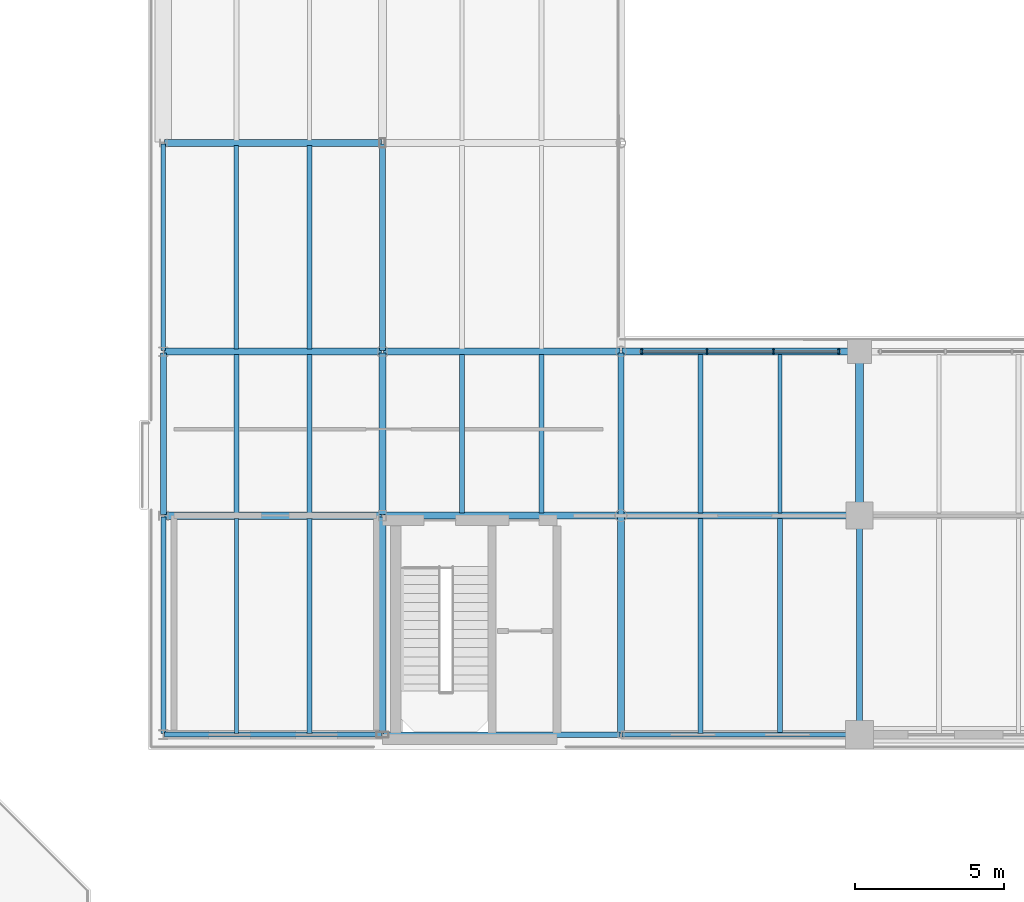
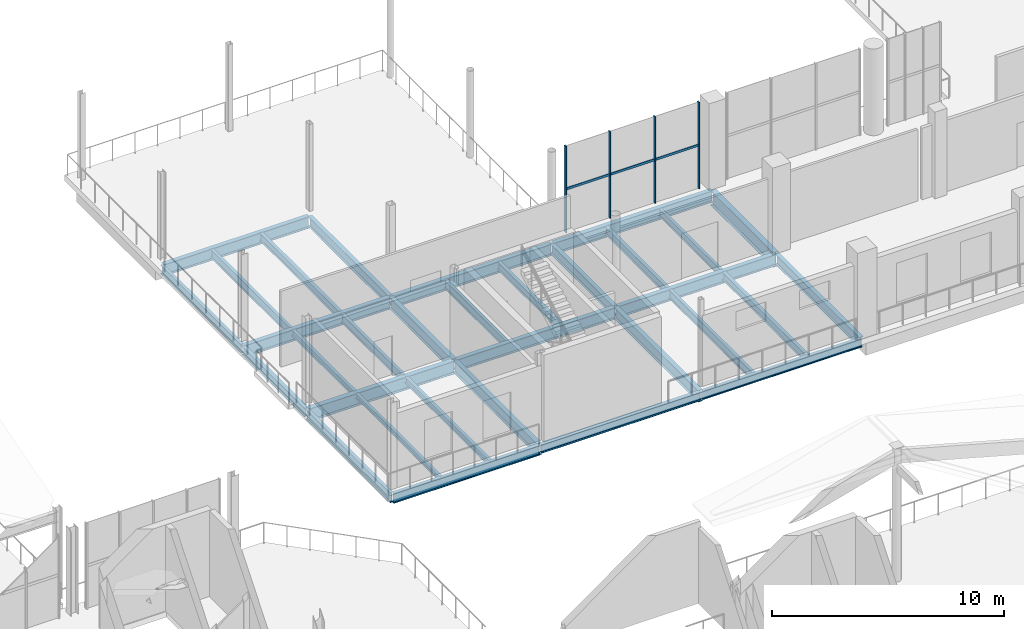
# One storey, part 36 of 70: 32 beams, 7 members, 1 element without a shape of its own.
"""IFC4 building model written with IfcOpenShell, lengths in metres."""

import ifcopenshell
import ifcopenshell.guid

model = None  # the IFC model being written
_history = None  # IfcOwnerHistory: only IFC2X3 demands one
_inside = {}  # id of a spatial element -> (the spatial element, [elements in it])
_under = {}  # id of a project, library or spatial element -> (it, [spatial elements below it])
_declared = {}  # id of a project -> (the project, [libraries it declares])
_typed = {}  # id of a type object -> (the type object, [elements of that type])
_made_of = {}  # id of a material, layer set ... -> (it, [elements and type objects made of it])


def new_model(schema):
    """Start an empty IFC model of exactly this schema.

    Asked for "IFC4X3", IfcOpenShell would pick the latest addendum, in which some entities
    have other attributes; the version numbers below select the first issue.
    IFC2X3 requires an IfcOwnerHistory on every rooted entity: one is made here for all.
    """
    global model, _history
    if schema == "IFC4X3":
        model = ifcopenshell.file(schema_version=(4, 3, 0, 0))
    else:
        model = ifcopenshell.file(schema=schema)
    _inside.clear()
    _under.clear()
    _declared.clear()
    _typed.clear()
    _made_of.clear()
    _history = None
    if model.schema == "IFC2X3":
        org = make("IfcOrganization", Name="unknown")
        user = make(
            "IfcPersonAndOrganization",
            ThePerson=make("IfcPerson", FamilyName="unknown"),
            TheOrganization=org,
        )
        app = make(
            "IfcApplication",
            ApplicationDeveloper=org,
            Version="unknown",
            ApplicationFullName="unknown",
            ApplicationIdentifier="unknown",
        )
        _history = make(
            "IfcOwnerHistory",
            OwningUser=user,
            OwningApplication=app,
            ChangeAction="ADDED",
            CreationDate=0,
        )
    return model


def make(cls, **values):
    """One entity of the class cls with the attributes given. An attribute that is None is left unset."""
    return model.create_entity(
        cls, **{name: value for name, value in values.items() if value is not None}
    )


def rooted(cls, **values):
    """An entity with a GlobalId (a new one), such as an element, a storey or a relation."""
    return make(cls, GlobalId=ifcopenshell.guid.new(), OwnerHistory=_history, **values)


def si_unit(unit_type, name, prefix=None):
    """IfcSIUnit, for example si_unit("LENGTHUNIT", "METRE", prefix="MILLI")."""
    return make("IfcSIUnit", UnitType=unit_type, Prefix=prefix, Name=name)


def assignment(units):
    """IfcUnitAssignment: the units of a project."""
    return None if units is None else make("IfcUnitAssignment", Units=units)


def point(xyz):
    """IfcCartesianPoint."""
    return None if xyz is None else make("IfcCartesianPoint", Coordinates=xyz)


def direction(xyz):
    """IfcDirection."""
    return None if xyz is None else make("IfcDirection", DirectionRatios=xyz)


def frame(location, z_axis=None, x_axis=None):
    """IfcAxis2Placement3D, a coordinate frame: its origin and axes. An axis left out is left unset."""
    return make(
        "IfcAxis2Placement3D",
        Location=point(location),
        Axis=direction(z_axis),
        RefDirection=direction(x_axis),
    )


def frame_2d(location, x_axis=None):
    """IfcAxis2Placement2D, a coordinate frame in the plane: its origin and x axis."""
    return make(
        "IfcAxis2Placement2D", Location=point(location), RefDirection=direction(x_axis)
    )


def origin():
    """The frame at (0, 0, 0) with its axes left unset."""
    return frame((0.0, 0.0, 0.0))


def origin_2d():
    """The frame at (0, 0) in the plane with its x axis left unset."""
    return frame_2d((0.0, 0.0))


def place(relative_to, where):
    """IfcLocalPlacement: puts the frame where relative to a parent placement (None: the world)."""
    return make(
        "IfcLocalPlacement", PlacementRelTo=relative_to, RelativePlacement=where
    )


def context(
    kind, dimensions, precision=None, world=None, true_north=None, identifier=None
):
    """IfcGeometricRepresentationContext, for example the 3D "Model" context."""
    return make(
        "IfcGeometricRepresentationContext",
        ContextIdentifier=identifier,
        ContextType=kind,
        CoordinateSpaceDimension=dimensions,
        Precision=precision,
        WorldCoordinateSystem=world,
        TrueNorth=true_north,
    )


def subcontext(parent, identifier, kind, view, scale=None):
    """IfcGeometricRepresentationSubContext, for example "Body" below "Model"."""
    return make(
        "IfcGeometricRepresentationSubContext",
        ContextIdentifier=identifier,
        ContextType=kind,
        ParentContext=parent,
        TargetScale=scale,
        TargetView=view,
    )


def project(units=None, contexts=None):
    """IfcProject with its units and contexts."""
    return rooted(
        "IfcProject",
        Name="project",
        RepresentationContexts=contexts,
        UnitsInContext=assignment(units),
    )


def spatial(cls, under=None, at=None, **own):
    """A site, building, storey or space (cls), placed at a placement, below another one or the project."""
    s = rooted(cls, ObjectPlacement=at, **own)
    if under is not None:
        _under.setdefault(under.id(), (under, []))[1].append(s)
    return s


def profile(cls, at=None, kind="AREA", **sizes):
    """A parametric profile (cls). Its sizes go by their IFC names, for example OverallWidth=200.0."""
    return make(cls, ProfileType=kind, Position=at, **sizes)


def rectangle(**sizes):
    """IfcRectangleProfileDef."""
    return profile("IfcRectangleProfileDef", **sizes)


def i_section(**sizes):
    """IfcIShapeProfileDef."""
    return profile("IfcIShapeProfileDef", **sizes)


def extrude(swept, where, along, depth):
    """IfcExtrudedAreaSolid: the profile swept, set in the frame where, extruded along a direction by depth."""
    return make(
        "IfcExtrudedAreaSolid",
        SweptArea=swept,
        Position=where,
        ExtrudedDirection=direction(along),
        Depth=depth,
    )


def shape(context_of_items, identifier, shape_type, items):
    """IfcShapeRepresentation: the items that make up one representation, for example the "Body"."""
    return make(
        "IfcShapeRepresentation",
        ContextOfItems=context_of_items,
        RepresentationIdentifier=identifier,
        RepresentationType=shape_type,
        Items=items,
    )


def material(Name=None, Category=None):
    """IfcMaterial."""
    return make("IfcMaterial", Name=Name, Category=Category)


def material_profile(
    of_material, cross_section, Name=None, Category=None, Priority=None
):
    """IfcMaterialProfile: a cross section and its material."""
    return make(
        "IfcMaterialProfile",
        Name=Name,
        Material=of_material,
        Profile=cross_section,
        Priority=Priority,
        Category=Category,
    )


def profile_set(profiles, Name=None, composite=None):
    """IfcMaterialProfileSet."""
    return make(
        "IfcMaterialProfileSet",
        Name=Name,
        MaterialProfiles=profiles,
        CompositeProfile=composite,
    )


def made_of(thing, what):
    """Note that an element or type object is made of a material, layer set ...; save() writes the relation."""
    if what is not None:
        _made_of.setdefault(what.id(), (what, []))[1].append(thing)
    return thing


def type_object(cls, material=None, **own):
    """A type object (cls), such as IfcWallType, which elements share."""
    return made_of(rooted(cls, **own), material)


def element(
    cls,
    number,
    at=None,
    inside=None,
    cuts=None,
    type_object=None,
    material=None,
    context=None,
    identifier="Body",
    shape_type=None,
    held_by="IfcProductDefinitionShape",
    body=None,
    shapes=None,
    **own,
):
    """One element of the class cls, such as IfcWall. Its Tag is "e" and its number.

    at: its placement. inside: the storey or other place that contains it. cuts: it is an
    opening in that element (IfcRelVoidsElement). A single representation is given by context,
    identifier, shape_type and body (its items); several are given by shapes. held_by: the class
    of the entity that holds the representations. save() writes the other relations.
    """
    e = rooted(cls, Tag="e%d" % number, ObjectPlacement=at, **own)
    if body is not None:
        shapes = [shape(context, identifier, shape_type, body)]
    if shapes is not None:
        e.Representation = make(held_by, Representations=shapes)
    if inside is not None:
        _inside.setdefault(inside.id(), (inside, []))[1].append(e)
    if cuts is not None:
        rooted(
            "IfcRelVoidsElement", RelatingBuildingElement=cuts, RelatedOpeningElement=e
        )
    if type_object is not None:
        _typed.setdefault(type_object.id(), (type_object, []))[1].append(e)
    return made_of(e, material)


def aggregate(whole, parts):
    """IfcRelAggregates: a whole, such as a stair, and the parts it consists of."""
    return rooted("IfcRelAggregates", RelatingObject=whole, RelatedObjects=parts)


def save(model, path):
    """Write the relations noted so far, then the file.

    IfcRelAggregates (storeys below a building ...), IfcRelContainedInSpatialStructure (elements
    in a storey), IfcRelDefinesByType, IfcRelAssociatesMaterial and IfcRelDeclares: one each for
    every whole, place, type object, material and project.
    """
    for whole, parts in _under.values():
        aggregate(whole, parts)
    for where, things in _inside.values():
        rooted(
            "IfcRelContainedInSpatialStructure",
            RelatedElements=things,
            RelatingStructure=where,
        )
    for kind, things in _typed.values():
        rooted("IfcRelDefinesByType", RelatedObjects=things, RelatingType=kind)
    for what, things in _made_of.values():
        rooted("IfcRelAssociatesMaterial", RelatedObjects=things, RelatingMaterial=what)
    for by, libraries in _declared.values():
        rooted("IfcRelDeclares", RelatingContext=by, RelatedDefinitions=libraries)
    model.write(path)


model = new_model("IFC4")

# Units and contexts
model_context = context("Model", 3, precision=1e-05, world=origin(), true_north=direction((0.0, 1.0)))
body_context = subcontext(model_context, "Body", "Model", "MODEL_VIEW")
ifc_project = project(units=[si_unit("LENGTHUNIT", "METRE"), si_unit("AREAUNIT", "SQUARE_METRE"), si_unit("VOLUMEUNIT", "CUBIC_METRE"), si_unit("PLANEANGLEUNIT", "RADIAN"), si_unit("MASSUNIT", "GRAM", prefix="KILO")], contexts=[model_context])

# Site, building, storey
site_placement = place(None, origin())
site = spatial("IfcSite", under=ifc_project, at=site_placement, CompositionType="ELEMENT")
building_placement = place(site_placement, origin())
building = spatial("IfcBuilding", under=site, at=building_placement, Name="Brisemont Oceanarium", CompositionType="ELEMENT")
storey_placement = place(building_placement, frame((0.0, 0.0, 10.199951171875)))
storey = spatial("IfcBuildingStorey", under=building, at=storey_placement, Name="L02", CompositionType="ELEMENT", Elevation=10.199951171875)

# Beams
ifc_material_1 = material(Name="Structural Steel ASTM A992 Gr.50", Category="steel")
ifc_material_profile_1 = material_profile(ifc_material_1, i_section(OverallWidth=0.14599609375, OverallDepth=0.259033203125, WebThickness=0.006103515625, FlangeThickness=0.009033203125, FilletRadius=0.008056640625, at=origin_2d()), Name="W10X22")
ifc_profile_set_1 = profile_set([ifc_material_profile_1], Name="Structural Steel ASTM A992 Gr.50")
beam_type_1 = type_object("IfcBeamType", Name="BM-W10X22", PredefinedType="LINTEL", material=ifc_profile_set_1)
beam_1_placement = place(storey_placement, frame((115.10009765625, 80.68994140625, -0.429443359375), z_axis=(0.0, 1.0, 0.0), x_axis=(-1.0, 0.0, 0.0)))
element("IfcBeam", 1, at=beam_1_placement, inside=storey, type_object=beam_type_1, Name="V6 L02 secondary floor beam", PredefinedType="LINTEL", context=body_context, shape_type="SweptSolid", body=[
    extrude(i_section(OverallWidth=0.14599609375, OverallDepth=0.259033203125, WebThickness=0.006103515625, FlangeThickness=0.009033203125, FilletRadius=0.008056640625, at=origin_2d()), origin(), (0.0, 0.0, 1.0), 7.219970703125),
])
ifc_material_2 = material(Name="Structural Steel ASTM A992 Gr.50", Category="steel")
ifc_material_profile_2 = material_profile(ifc_material_2, i_section(OverallWidth=0.1650390625, OverallDepth=0.31005859375, WebThickness=0.005859375, FlangeThickness=0.009765625, FilletRadius=0.008056640625, at=origin_2d()), Name="W12X26")
ifc_profile_set_2 = profile_set([ifc_material_profile_2], Name="Structural Steel ASTM A992 Gr.50")
beam_type_2 = type_object("IfcBeamType", Name="BM-W12X26", PredefinedType="JOIST", material=ifc_profile_set_2)
beam_2_placement = place(storey_placement, frame((117.550048828125, 80.68994140625, -0.454833984375), z_axis=(0.0, 1.0, 0.0), x_axis=(-1.0, 0.0, 0.0)))
element("IfcBeam", 2, at=beam_2_placement, inside=storey, type_object=beam_type_2, Name="V6 L02 secondary floor beam", PredefinedType="JOIST", context=body_context, shape_type="SweptSolid", body=[
    extrude(i_section(OverallWidth=0.1650390625, OverallDepth=0.31005859375, WebThickness=0.005859375, FlangeThickness=0.009765625, FilletRadius=0.008056640625, at=origin_2d()), origin(), (0.0, 0.0, 1.0), 7.219970703125),
])
beam_3_placement = place(storey_placement, frame((115.10009765625, 88.090087890625, -0.454833984375), z_axis=(0.0, 1.0, 0.0), x_axis=(-1.0, 0.0, 0.0)))
element("IfcBeam", 3, at=beam_3_placement, inside=storey, type_object=beam_type_2, Name="V6 L02 secondary floor beam", PredefinedType="JOIST", context=body_context, shape_type="SweptSolid", body=[
    extrude(i_section(OverallWidth=0.1650390625, OverallDepth=0.31005859375, WebThickness=0.005859375, FlangeThickness=0.009765625, FilletRadius=0.008056640625, at=origin_2d()), origin(), (0.0, 0.0, 1.0), 5.31982421875),
])
ifc_material_3 = material(Name="Structural Steel ASTM A992 Gr.50", Category="steel")
ifc_material_profile_3 = material_profile(ifc_material_3, i_section(OverallWidth=0.139892578125, OverallDepth=0.39892578125, WebThickness=0.00634765625, FlangeThickness=0.0087890625, FilletRadius=0.010009765625, at=origin_2d()), Name="W16X26")
ifc_profile_set_3 = profile_set([ifc_material_profile_3], Name="Structural Steel ASTM A992 Gr.50")
beam_type_3 = type_object("IfcBeamType", Name="BM-W16X26", PredefinedType="JOIST", material=ifc_profile_set_3)
beam_4_placement = place(storey_placement, frame((133.333251953125, 88.090087890625, -0.49951171875), z_axis=(0.0, 1.0, 0.0), x_axis=(-1.0, 0.0, 0.0)))
element("IfcBeam", 4, at=beam_4_placement, inside=storey, type_object=beam_type_3, Name="V6 L02 secondary floor beam", PredefinedType="JOIST", context=body_context, shape_type="SweptSolid", body=[
    extrude(i_section(OverallWidth=0.139892578125, OverallDepth=0.39892578125, WebThickness=0.00634765625, FlangeThickness=0.0087890625, FilletRadius=0.010009765625, at=origin_2d()), origin(), (0.0, 0.0, 1.0), 5.31982421875),
])
ifc_material_4 = material(Name="Structural Steel ASTM A992 Gr.50", Category="steel")
ifc_material_profile_4 = material_profile(ifc_material_4, i_section(OverallWidth=0.177978515625, OverallDepth=0.404052734375, WebThickness=0.007568359375, FlangeThickness=0.010986328125, FilletRadius=0.010009765625, at=origin_2d()), Name="W16X36")
ifc_profile_set_4 = profile_set([ifc_material_profile_4], Name="Structural Steel ASTM A992 Gr.50")
beam_type_4 = type_object("IfcBeamType", Name="BM-W16X36", PredefinedType="JOIST", material=ifc_profile_set_4)
beam_5_placement = place(storey_placement, frame((117.550048828125, 93.590087890625, -0.501953125), z_axis=(0.0, 1.0, 0.0), x_axis=(-1.0, 0.0, 0.0)))
element("IfcBeam", 5, at=beam_5_placement, inside=storey, type_object=beam_type_4, Name="V6 L02 secondary floor beam", PredefinedType="JOIST", context=body_context, shape_type="SweptSolid", body=[
    extrude(i_section(OverallWidth=0.177978515625, OverallDepth=0.404052734375, WebThickness=0.007568359375, FlangeThickness=0.010986328125, FilletRadius=0.010009765625, at=origin_2d()), origin(), (0.0, 0.0, 1.0), 6.81982421875),
])
beam_6_placement = place(storey_placement, frame((125.333251953125, 88.090087890625, -0.501953125), z_axis=(0.0, 1.0, 0.0), x_axis=(-1.0, 0.0, 0.0)))
element("IfcBeam", 6, at=beam_6_placement, inside=storey, type_object=beam_type_4, Name="V6 L02 secondary floor beam", PredefinedType="JOIST", context=body_context, shape_type="SweptSolid", body=[
    extrude(i_section(OverallWidth=0.177978515625, OverallDepth=0.404052734375, WebThickness=0.007568359375, FlangeThickness=0.010986328125, FilletRadius=0.010009765625, at=origin_2d()), origin(), (0.0, 0.0, 1.0), 5.31982421875),
])
beam_7_placement = place(storey_placement, frame((133.333251953125, 80.68994140625, -0.501953125), z_axis=(0.0, 1.0, 0.0), x_axis=(-1.0, 0.0, 0.0)))
element("IfcBeam", 7, at=beam_7_placement, inside=storey, type_object=beam_type_4, Name="V6 L02 secondary floor beam", PredefinedType="JOIST", context=body_context, shape_type="SweptSolid", body=[
    extrude(i_section(OverallWidth=0.177978515625, OverallDepth=0.404052734375, WebThickness=0.007568359375, FlangeThickness=0.010986328125, FilletRadius=0.010009765625, at=origin_2d()), origin(), (0.0, 0.0, 1.0), 7.219970703125),
])
beam_8_placement = place(storey_placement, frame((130.666748046875, 88.090087890625, -0.501953125), z_axis=(0.0, 1.0, 0.0), x_axis=(-1.0, 0.0, 0.0)))
element("IfcBeam", 8, at=beam_8_placement, inside=storey, type_object=beam_type_4, Name="V6 L02 secondary floor beam", PredefinedType="JOIST", context=body_context, shape_type="SweptSolid", body=[
    extrude(i_section(OverallWidth=0.177978515625, OverallDepth=0.404052734375, WebThickness=0.007568359375, FlangeThickness=0.010986328125, FilletRadius=0.010009765625, at=origin_2d()), origin(), (0.0, 0.0, 1.0), 5.31982421875),
])
ifc_material_5 = material(Name="Structural Steel ASTM A992 Gr.50", Category="steel")
ifc_material_profile_5 = material_profile(ifc_material_5, i_section(OverallWidth=0.153076171875, OverallDepth=0.455078125, WebThickness=0.008056640625, FlangeThickness=0.01318359375, FilletRadius=0.010986328125, at=origin_2d()), Name="W18X40")
ifc_profile_set_5 = profile_set([ifc_material_profile_5], Name="Structural Steel ASTM A992 Gr.50")
beam_type_5 = type_object("IfcBeamType", Name="BM-W18X40", PredefinedType="JOIST", material=ifc_profile_set_5)
beam_9_placement = place(storey_placement, frame((117.550048828125, 88.090087890625, -0.52734375), z_axis=(0.0, 1.0, 0.0), x_axis=(-1.0, 0.0, 0.0)))
element("IfcBeam", 9, at=beam_9_placement, inside=storey, type_object=beam_type_5, Name="V6 L02 secondary floor beam", PredefinedType="JOIST", context=body_context, shape_type="SweptSolid", body=[
    extrude(i_section(OverallWidth=0.153076171875, OverallDepth=0.455078125, WebThickness=0.008056640625, FlangeThickness=0.01318359375, FilletRadius=0.010986328125, at=origin_2d()), origin(), (0.0, 0.0, 1.0), 5.31982421875),
])
beam_10_placement = place(storey_placement, frame((115.10009765625, 93.590087890625, -0.52734375), z_axis=(0.0, 1.0, 0.0), x_axis=(-1.0, 0.0, 0.0)))
element("IfcBeam", 10, at=beam_10_placement, inside=storey, type_object=beam_type_5, Name="V6 L02 secondary floor beam", PredefinedType="JOIST", context=body_context, shape_type="SweptSolid", body=[
    extrude(i_section(OverallWidth=0.153076171875, OverallDepth=0.455078125, WebThickness=0.008056640625, FlangeThickness=0.01318359375, FilletRadius=0.010986328125, at=origin_2d()), origin(), (0.0, 0.0, 1.0), 6.81982421875),
])
beam_11_placement = place(storey_placement, frame((122.666748046875, 88.090087890625, -0.52734375), z_axis=(0.0, 1.0, 0.0), x_axis=(-1.0, 0.0, 0.0)))
element("IfcBeam", 11, at=beam_11_placement, inside=storey, type_object=beam_type_5, Name="V6 L02 secondary floor beam", PredefinedType="JOIST", context=body_context, shape_type="SweptSolid", body=[
    extrude(i_section(OverallWidth=0.153076171875, OverallDepth=0.455078125, WebThickness=0.008056640625, FlangeThickness=0.01318359375, FilletRadius=0.010986328125, at=origin_2d()), origin(), (0.0, 0.0, 1.0), 5.31982421875),
])
beam_12_placement = place(storey_placement, frame((130.666748046875, 80.68994140625, -0.52734375), z_axis=(0.0, 1.0, 0.0), x_axis=(-1.0, 0.0, 0.0)))
element("IfcBeam", 12, at=beam_12_placement, inside=storey, type_object=beam_type_5, Name="V6 L02 secondary floor beam", PredefinedType="JOIST", context=body_context, shape_type="SweptSolid", body=[
    extrude(i_section(OverallWidth=0.153076171875, OverallDepth=0.455078125, WebThickness=0.008056640625, FlangeThickness=0.01318359375, FilletRadius=0.010986328125, at=origin_2d()), origin(), (0.0, 0.0, 1.0), 7.219970703125),
])
ifc_material_6 = material(Name="Structural Steel ASTM A992 Gr.50", Category="steel")
ifc_material_profile_6 = material_profile(ifc_material_6, i_section(OverallWidth=0.154052734375, OverallDepth=0.458984375, WebThickness=0.009033203125, FlangeThickness=0.015380859375, FilletRadius=0.010986328125, at=origin_2d()), Name="W18X46")
ifc_profile_set_6 = profile_set([ifc_material_profile_6], Name="Structural Steel ASTM A992 Gr.50")
beam_type_6 = type_object("IfcBeamType", Name="BM-W18X46", PredefinedType="SPANDREL", material=ifc_profile_set_6)
beam_13_placement = place(storey_placement, frame((128.0400390625, 80.64990234375, -0.529541015625), z_axis=(1.0, 0.0, 0.0), x_axis=(0.0, 1.0, 0.0)))
element("IfcBeam", 13, at=beam_13_placement, inside=storey, type_object=beam_type_6, Name="V6 L02 EW girder", PredefinedType="SPANDREL", context=body_context, shape_type="SweptSolid", body=[
    extrude(i_section(OverallWidth=0.154052734375, OverallDepth=0.458984375, WebThickness=0.009033203125, FlangeThickness=0.015380859375, FilletRadius=0.010986328125, at=origin_2d()), origin(), (0.0, 0.0, 1.0), 7.919921875),
])
beam_14_placement = place(storey_placement, frame((112.64990234375, 93.5400390625, -0.529541015625), z_axis=(0.0, 1.0, 0.0), x_axis=(-1.0, 0.0, 0.0)))
element("IfcBeam", 14, at=beam_14_placement, inside=storey, type_object=beam_type_6, Name="V6 L02 NS girder", PredefinedType="SPANDREL", context=body_context, shape_type="SweptSolid", body=[
    extrude(i_section(OverallWidth=0.154052734375, OverallDepth=0.458984375, WebThickness=0.009033203125, FlangeThickness=0.015380859375, FilletRadius=0.010986328125, at=origin_2d()), origin(), (0.0, 0.0, 1.0), 6.919921875),
])
ifc_material_7 = material(Name="Structural Steel ASTM A992 Gr.50", Category="steel")
ifc_material_profile_7 = material_profile(ifc_material_7, i_section(OverallWidth=0.19091796875, OverallDepth=0.4599609375, WebThickness=0.010009765625, FlangeThickness=0.01611328125, FilletRadius=0.010986328125, at=origin_2d()), Name="W18X55")
ifc_profile_set_7 = profile_set([ifc_material_profile_7], Name="Structural Steel ASTM A992 Gr.50")
beam_type_7 = type_object("IfcBeamType", Name="BM-W18X55", PredefinedType="SPANDREL", material=ifc_profile_set_7)
beam_15_placement = place(storey_placement, frame((120.0400390625, 80.64990234375, -0.530029296875), z_axis=(1.0, 0.0, 0.0), x_axis=(0.0, 1.0, 0.0)))
element("IfcBeam", 15, at=beam_15_placement, inside=storey, type_object=beam_type_7, Name="V6 L02 EW girder", PredefinedType="SPANDREL", context=body_context, shape_type="SweptSolid", body=[
    extrude(i_section(OverallWidth=0.19091796875, OverallDepth=0.4599609375, WebThickness=0.010009765625, FlangeThickness=0.01611328125, FilletRadius=0.010986328125, at=origin_2d()), origin(), (0.0, 0.0, 1.0), 7.919921875),
])
beam_16_placement = place(storey_placement, frame((112.64990234375, 88.0400390625, -0.530029296875), z_axis=(0.0, 1.0, 0.0), x_axis=(-1.0, 0.0, 0.0)))
element("IfcBeam", 16, at=beam_16_placement, inside=storey, type_object=beam_type_7, Name="V6 L02 NS girder", PredefinedType="SPANDREL", context=body_context, shape_type="SweptSolid", body=[
    extrude(i_section(OverallWidth=0.19091796875, OverallDepth=0.4599609375, WebThickness=0.010009765625, FlangeThickness=0.01611328125, FilletRadius=0.010986328125, at=origin_2d()), origin(), (0.0, 0.0, 1.0), 5.419921875),
])
ifc_material_8 = material(Name="Structural Steel ASTM A992 Gr.50", Category="steel")
ifc_material_profile_8 = material_profile(ifc_material_8, i_section(OverallWidth=0.166015625, OverallDepth=0.528076171875, WebThickness=0.009765625, FlangeThickness=0.013671875, FilletRadius=0.012939453125, at=origin_2d()), Name="W21X50")
ifc_profile_set_8 = profile_set([ifc_material_profile_8], Name="Structural Steel ASTM A992 Gr.50")
beam_type_8 = type_object("IfcBeamType", Name="BM-W21X50", PredefinedType="SPANDREL", material=ifc_profile_set_8)
for number, where, z_axis, x_axis, name in (
    (17, (112.68994140625, 80.64990234375, -0.56396484375), (1.0, 0.0, 0.0), (0.0, 1.0, 0.0), "V6 L02 EW girder"),
    (18, (112.64990234375, 80.68994140625, -0.56396484375), (0.0, 1.0, 0.0), (-1.0, 0.0, 0.0), "V6 L02 NS girder"),
):
    element("IfcBeam", number, at=place(storey_placement, frame(where, z_axis=z_axis, x_axis=x_axis)), inside=storey, type_object=beam_type_8, Name=name, PredefinedType="SPANDREL", context=body_context, shape_type="SweptSolid", body=[
        extrude(i_section(OverallWidth=0.166015625, OverallDepth=0.528076171875, WebThickness=0.009765625, FlangeThickness=0.013671875, FilletRadius=0.012939453125, at=origin_2d()), origin(), (0.0, 0.0, 1.0), 7.27001953125),
    ])
ifc_material_9 = material(Name="Structural Steel ASTM A992 Gr.50", Category="steel")
ifc_material_profile_9 = material_profile(ifc_material_9, i_section(OverallWidth=0.2099609375, OverallDepth=0.532958984375, WebThickness=0.01025390625, FlangeThickness=0.015625, FilletRadius=0.012939453125, at=origin_2d()), Name="W21X62")
ifc_profile_set_9 = profile_set([ifc_material_profile_9], Name="Structural Steel ASTM A992 Gr.50")
beam_type_9 = type_object("IfcBeamType", Name="BM-W21X62", PredefinedType="BEAM", material=ifc_profile_set_9)
beam_17_placement = place(storey_placement, frame((120.0, 93.5400390625, -0.56640625), z_axis=(0.0, 1.0, 0.0), x_axis=(-1.0, 0.0, 0.0)))
element("IfcBeam", 19, at=beam_17_placement, inside=storey, type_object=beam_type_9, Name="V6 L02 NS girder", PredefinedType="BEAM", context=body_context, shape_type="SweptSolid", body=[
    extrude(i_section(OverallWidth=0.2099609375, OverallDepth=0.532958984375, WebThickness=0.01025390625, FlangeThickness=0.015625, FilletRadius=0.012939453125, at=origin_2d()), origin(), (0.0, 0.0, 1.0), 6.919921875),
])
beam_18_placement = place(storey_placement, frame((128.0, 88.0400390625, -0.56640625), z_axis=(0.0, 1.0, 0.0), x_axis=(-1.0, 0.0, 0.0)))
element("IfcBeam", 20, at=beam_18_placement, inside=storey, type_object=beam_type_9, Name="V6 L02 NS girder", PredefinedType="BEAM", context=body_context, shape_type="SweptSolid", body=[
    extrude(i_section(OverallWidth=0.2099609375, OverallDepth=0.532958984375, WebThickness=0.01025390625, FlangeThickness=0.015625, FilletRadius=0.012939453125, at=origin_2d()), origin(), (0.0, 0.0, 1.0), 5.419921875),
])
beam_19_placement = place(storey_placement, frame((136.0, 80.68994140625, -0.56640625), z_axis=(0.0, 1.0, 0.0), x_axis=(-1.0, 0.0, 0.0)))
element("IfcBeam", 21, at=beam_19_placement, inside=storey, type_object=beam_type_9, Name="V6 L02 NS girder", PredefinedType="BEAM", context=body_context, shape_type="SweptSolid", body=[
    extrude(i_section(OverallWidth=0.2099609375, OverallDepth=0.532958984375, WebThickness=0.01025390625, FlangeThickness=0.015625, FilletRadius=0.012939453125, at=origin_2d()), origin(), (0.0, 0.0, 1.0), 7.27001953125),
])
ifc_material_10 = material(Name="Structural Steel ASTM A992 Gr.50", Category="steel")
ifc_material_profile_10 = material_profile(ifc_material_10, i_section(OverallWidth=0.22802734375, OverallDepth=0.60205078125, WebThickness=0.010498046875, FlangeThickness=0.014892578125, FilletRadius=0.012939453125, at=origin_2d()), Name="W24X68")
ifc_profile_set_10 = profile_set([ifc_material_profile_10], Name="Structural Steel ASTM A992 Gr.50")
beam_type_10 = type_object("IfcBeamType", Name="BM-W24X68", PredefinedType="BEAM", material=ifc_profile_set_10)
beam_20_placement = place(storey_placement, frame((128.0400390625, 93.5, -0.600830078125), z_axis=(1.0, 0.0, 0.0), x_axis=(0.0, 1.0, 0.0)))
element("IfcBeam", 22, at=beam_20_placement, inside=storey, type_object=beam_type_10, Name="V6 L02 EW girder", PredefinedType="BEAM", context=body_context, shape_type="SweptSolid", body=[
    extrude(i_section(OverallWidth=0.22802734375, OverallDepth=0.60205078125, WebThickness=0.010498046875, FlangeThickness=0.014892578125, FilletRadius=0.012939453125, at=origin_2d()), origin(), (0.0, 0.0, 1.0), 7.919921875),
])
beam_21_placement = place(storey_placement, frame((120.0, 88.0400390625, -0.600830078125), z_axis=(0.0, 1.0, 0.0), x_axis=(-1.0, 0.0, 0.0)))
element("IfcBeam", 23, at=beam_21_placement, inside=storey, type_object=beam_type_10, Name="V6 L02 NS girder", PredefinedType="BEAM", context=body_context, shape_type="SweptSolid", body=[
    extrude(i_section(OverallWidth=0.22802734375, OverallDepth=0.60205078125, WebThickness=0.010498046875, FlangeThickness=0.014892578125, FilletRadius=0.012939453125, at=origin_2d()), origin(), (0.0, 0.0, 1.0), 5.419921875),
])
beam_22_placement = place(storey_placement, frame((128.0, 80.68994140625, -0.600830078125), z_axis=(0.0, 1.0, 0.0), x_axis=(-1.0, 0.0, 0.0)))
element("IfcBeam", 24, at=beam_22_placement, inside=storey, type_object=beam_type_10, Name="V6 L02 NS girder", PredefinedType="BEAM", context=body_context, shape_type="SweptSolid", body=[
    extrude(i_section(OverallWidth=0.22802734375, OverallDepth=0.60205078125, WebThickness=0.010498046875, FlangeThickness=0.014892578125, FilletRadius=0.012939453125, at=origin_2d()), origin(), (0.0, 0.0, 1.0), 7.27001953125),
])
ifc_material_11 = material(Name="Structural Steel ASTM A992 Gr.50", Category="steel")
ifc_material_profile_11 = material_profile(ifc_material_11, i_section(OverallWidth=0.22802734375, OverallDepth=0.60791015625, WebThickness=0.01123046875, FlangeThickness=0.017333984375, FilletRadius=0.012939453125, at=origin_2d()), Name="W24X76")
ifc_profile_set_11 = profile_set([ifc_material_profile_11], Name="Structural Steel ASTM A992 Gr.50")
beam_type_11 = type_object("IfcBeamType", Name="BM-W24X76", PredefinedType="BEAM", material=ifc_profile_set_11)
for number, where, z_axis, x_axis, name in (
    (25, (128.0400390625, 88.0, -0.60400390625), (1.0, 0.0, 0.0), (0.0, 1.0, 0.0), "V6 L02 EW girder"),
    (26, (120.0400390625, 93.5, -0.60400390625), (1.0, 0.0, 0.0), (0.0, 1.0, 0.0), "V6 L02 EW girder"),
):
    element("IfcBeam", number, at=place(storey_placement, frame(where, z_axis=z_axis, x_axis=x_axis)), inside=storey, type_object=beam_type_11, Name=name, PredefinedType="BEAM", context=body_context, shape_type="SweptSolid", body=[
        extrude(i_section(OverallWidth=0.22802734375, OverallDepth=0.60791015625, WebThickness=0.01123046875, FlangeThickness=0.017333984375, FilletRadius=0.012939453125, at=origin_2d()), origin(), (0.0, 0.0, 1.0), 7.919921875),
    ])
for number, where, z_axis, x_axis, name in (
    (27, (112.68994140625, 100.5, -0.60400390625), (1.0, 0.0, 0.0), (0.0, 1.0, 0.0), "V6 L02 EW girder"),
    (28, (120.0, 80.68994140625, -0.60400390625), (0.0, 1.0, 0.0), (-1.0, 0.0, 0.0), "V6 L02 NS girder"),
):
    element("IfcBeam", number, at=place(storey_placement, frame(where, z_axis=z_axis, x_axis=x_axis)), inside=storey, type_object=beam_type_11, Name=name, PredefinedType="BEAM", context=body_context, shape_type="SweptSolid", body=[
        extrude(i_section(OverallWidth=0.22802734375, OverallDepth=0.60791015625, WebThickness=0.01123046875, FlangeThickness=0.017333984375, FilletRadius=0.012939453125, at=origin_2d()), origin(), (0.0, 0.0, 1.0), 7.27001953125),
    ])
ifc_material_12 = material(Name="Structural Steel ASTM A992 Gr.50", Category="steel")
ifc_material_profile_12 = material_profile(ifc_material_12, i_section(OverallWidth=0.22900390625, OverallDepth=0.612060546875, WebThickness=0.011962890625, FlangeThickness=0.01953125, FilletRadius=0.012939453125, at=origin_2d()), Name="W24X84")
ifc_profile_set_12 = profile_set([ifc_material_profile_12], Name="Structural Steel ASTM A992 Gr.50")
beam_type_12 = type_object("IfcBeamType", Name="BM-W24X84", PredefinedType="BEAM", material=ifc_profile_set_12)
beam_23_placement = place(storey_placement, frame((120.0400390625, 88.0, -0.60595703125), z_axis=(1.0, 0.0, 0.0), x_axis=(0.0, 1.0, 0.0)))
element("IfcBeam", 29, at=beam_23_placement, inside=storey, type_object=beam_type_12, Name="V6 L02 EW girder", PredefinedType="BEAM", context=body_context, shape_type="SweptSolid", body=[
    extrude(i_section(OverallWidth=0.22900390625, OverallDepth=0.612060546875, WebThickness=0.011962890625, FlangeThickness=0.01953125, FilletRadius=0.012939453125, at=origin_2d()), origin(), (0.0, 0.0, 1.0), 7.919921875),
])
beam_24_placement = place(storey_placement, frame((112.68994140625, 93.5, -0.60595703125), z_axis=(1.0, 0.0, 0.0), x_axis=(0.0, 1.0, 0.0)))
element("IfcBeam", 30, at=beam_24_placement, inside=storey, type_object=beam_type_12, Name="V6 L02 EW girder", PredefinedType="BEAM", context=body_context, shape_type="SweptSolid", body=[
    extrude(i_section(OverallWidth=0.22900390625, OverallDepth=0.612060546875, WebThickness=0.011962890625, FlangeThickness=0.01953125, FilletRadius=0.012939453125, at=origin_2d()), origin(), (0.0, 0.0, 1.0), 7.27001953125),
])
ifc_material_13 = material(Name="Structural Steel ASTM A992 Gr.50", Category="steel")
ifc_material_profile_13 = material_profile(ifc_material_13, i_section(OverallWidth=0.2529296875, OverallDepth=0.677978515625, WebThickness=0.01171875, FlangeThickness=0.016357421875, FilletRadius=0.014892578125, at=origin_2d()), Name="W27X84")
ifc_profile_set_13 = profile_set([ifc_material_profile_13], Name="Structural Steel ASTM A992 Gr.50")
beam_type_13 = type_object("IfcBeamType", Name="BM-W27X84", PredefinedType="BEAM", material=ifc_profile_set_13)
beam_25_placement = place(storey_placement, frame((112.68994140625, 88.0, -0.638916015625), z_axis=(1.0, 0.0, 0.0), x_axis=(0.0, 1.0, 0.0)))
element("IfcBeam", 31, at=beam_25_placement, inside=storey, type_object=beam_type_13, Name="V6 L02 EW girder", PredefinedType="BEAM", context=body_context, shape_type="SweptSolid", body=[
    extrude(i_section(OverallWidth=0.2529296875, OverallDepth=0.677978515625, WebThickness=0.01171875, FlangeThickness=0.016357421875, FilletRadius=0.014892578125, at=origin_2d()), origin(), (0.0, 0.0, 1.0), 7.27001953125),
])
ifc_material_14 = material(Name="Structural Steel ASTM A992 Gr.50", Category="steel")
ifc_material_profile_14 = material_profile(ifc_material_14, i_section(OverallWidth=0.26708984375, OverallDepth=0.761962890625, WebThickness=0.014404296875, FlangeThickness=0.021484375, FilletRadius=0.01611328125, at=origin_2d()), Name="W30X116")
ifc_profile_set_14 = profile_set([ifc_material_profile_14], Name="Structural Steel ASTM A992 Gr.50")
beam_type_14 = type_object("IfcBeamType", Name="BM-W30X116", PredefinedType="BEAM", material=ifc_profile_set_14)
beam_26_placement = place(storey_placement, frame((136.0, 88.0400390625, -0.680908203125), z_axis=(0.0, 1.0, 0.0), x_axis=(-1.0, 0.0, 0.0)))
element("IfcBeam", 32, at=beam_26_placement, inside=storey, type_object=beam_type_14, Name="V6 L02 NS girder", PredefinedType="BEAM", context=body_context, shape_type="SweptSolid", body=[
    extrude(i_section(OverallWidth=0.26708984375, OverallDepth=0.761962890625, WebThickness=0.014404296875, FlangeThickness=0.021484375, FilletRadius=0.01611328125, at=origin_2d()), origin(), (0.0, 0.0, 1.0), 5.419921875),
])

# Curtain wall, members
ifc_material_15 = material(Name="Anodized Extruded Aluminum 6063-T6", Category="aluminium")
curtain_wall_type = type_object("IfcCurtainWallType", Name="CW-RES-52X41", PredefinedType="NOTDEFINED", material=ifc_material_15)
curtain_wall_placement = place(storey_placement, origin())
curtain_wall = element("IfcCurtainWall", 33, at=curtain_wall_placement, inside=storey, type_object=curtain_wall_type, Name="CW-18 curtain wall CW-V6-CL-L02-01", PredefinedType="NOTDEFINED")
ifc_material_16 = material(Name="Anodized Extruded Aluminum 6063-T6", Category="aluminium")
ifc_material_profile_15 = material_profile(ifc_material_16, rectangle(XDim=0.06005859375, YDim=0.14990234375, at=origin_2d()), Name="CWM-60X150")
ifc_profile_set_15 = profile_set([ifc_material_profile_15], Name="Anodized Extruded Aluminum 6063-T6")
member_type_1 = type_object("IfcMemberType", Name="MEM-CWM-60", PredefinedType="MULLION", material=ifc_profile_set_15)
member_1_placement = place(storey_placement, frame((128.695068359375, 93.5, 0.0), z_axis=(0.0, 0.0, 1.0), x_axis=(1.0, 0.0, 0.0)))
member_1 = element("IfcMember", 34, at=member_1_placement, type_object=member_type_1, Name="CW-V6-CL-L02-01 mullion 1", PredefinedType="MULLION", context=body_context, shape_type="SweptSolid", body=[
    extrude(rectangle(XDim=0.06005859375, YDim=0.14990234375, at=origin_2d()), origin(), (0.0, 0.0, 1.0), 4.5400390625),
])
member_2_placement = place(storey_placement, frame((130.88330078125, 93.5, 0.0), z_axis=(0.0, 0.0, 1.0), x_axis=(1.0, 0.0, 0.0)))
member_2 = element("IfcMember", 35, at=member_2_placement, type_object=member_type_1, Name="CW-V6-CL-L02-01 mullion 2", PredefinedType="MULLION", context=body_context, shape_type="SweptSolid", body=[
    extrude(rectangle(XDim=0.06005859375, YDim=0.14990234375, at=origin_2d()), origin(), (0.0, 0.0, 1.0), 4.5400390625),
])
member_3_placement = place(storey_placement, frame((133.11669921875, 93.5, 0.0), z_axis=(0.0, 0.0, 1.0), x_axis=(1.0, 0.0, 0.0)))
member_3 = element("IfcMember", 36, at=member_3_placement, type_object=member_type_1, Name="CW-V6-CL-L02-01 mullion 3", PredefinedType="MULLION", context=body_context, shape_type="SweptSolid", body=[
    extrude(rectangle(XDim=0.06005859375, YDim=0.14990234375, at=origin_2d()), origin(), (0.0, 0.0, 1.0), 4.5400390625),
])
member_4_placement = place(storey_placement, frame((135.304931640625, 93.5, 0.0), z_axis=(0.0, 0.0, 1.0), x_axis=(1.0, 0.0, 0.0)))
member_4 = element("IfcMember", 37, at=member_4_placement, type_object=member_type_1, Name="CW-V6-CL-L02-01 mullion 4", PredefinedType="MULLION", context=body_context, shape_type="SweptSolid", body=[
    extrude(rectangle(XDim=0.06005859375, YDim=0.14990234375, at=origin_2d()), origin(), (0.0, 0.0, 1.0), 4.5400390625),
])
ifc_material_17 = material(Name="Anodized Extruded Aluminum 6063-T6", Category="aluminium")
ifc_material_profile_16 = material_profile(ifc_material_17, rectangle(XDim=0.06005859375, YDim=0.1201171875, at=origin_2d()), Name="CWT-60X120")
ifc_profile_set_16 = profile_set([ifc_material_profile_16], Name="Anodized Extruded Aluminum 6063-T6")
member_type_2 = type_object("IfcMemberType", Name="MEM-CWT-60", PredefinedType="USERDEFINED", material=ifc_profile_set_16)
member_5_placement = place(storey_placement, frame((128.6650390625, 93.5, 2.27001953125), z_axis=(1.0, 0.0, 0.0), x_axis=(0.0, 1.0, 0.0)))
member_5 = element("IfcMember", 38, at=member_5_placement, type_object=member_type_2, Name="CW-V6-CL-L02-01 transom 1.1", ObjectType="TRANSOM", PredefinedType="USERDEFINED", context=body_context, shape_type="SweptSolid", body=[
    extrude(rectangle(XDim=0.06005859375, YDim=0.1201171875, at=origin_2d()), origin(), (0.0, 0.0, 1.0), 2.203369140625),
])
member_6_placement = place(storey_placement, frame((130.898193359375, 93.5, 2.27001953125), z_axis=(1.0, 0.0, 0.0), x_axis=(0.0, 1.0, 0.0)))
member_6 = element("IfcMember", 39, at=member_6_placement, type_object=member_type_2, Name="CW-V6-CL-L02-01 transom 2.1", ObjectType="TRANSOM", PredefinedType="USERDEFINED", context=body_context, shape_type="SweptSolid", body=[
    extrude(rectangle(XDim=0.06005859375, YDim=0.1201171875, at=origin_2d()), origin(), (0.0, 0.0, 1.0), 2.20361328125),
])
member_7_placement = place(storey_placement, frame((133.131591796875, 93.5, 2.27001953125), z_axis=(1.0, 0.0, 0.0), x_axis=(0.0, 1.0, 0.0)))
member_7 = element("IfcMember", 40, at=member_7_placement, type_object=member_type_2, Name="CW-V6-CL-L02-01 transom 3.1", ObjectType="TRANSOM", PredefinedType="USERDEFINED", context=body_context, shape_type="SweptSolid", body=[
    extrude(rectangle(XDim=0.06005859375, YDim=0.1201171875, at=origin_2d()), origin(), (0.0, 0.0, 1.0), 2.203369140625),
])
aggregate(curtain_wall, [member_1, member_2, member_3, member_4, member_5, member_6, member_7])

save(model, "model.ifc")
